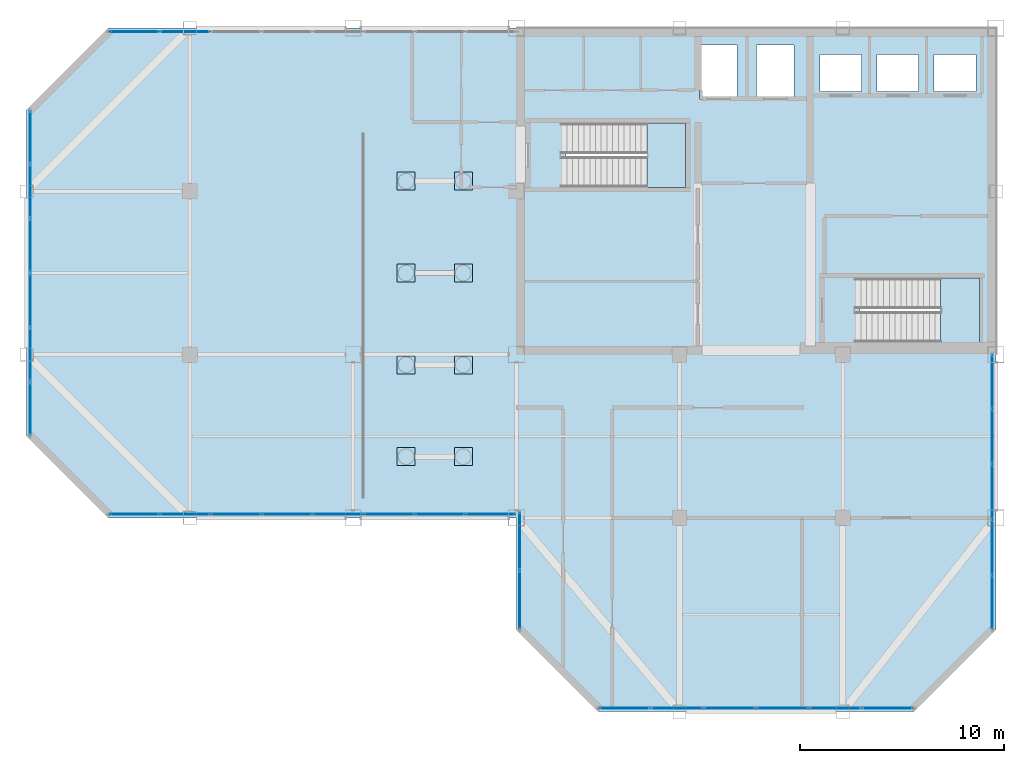
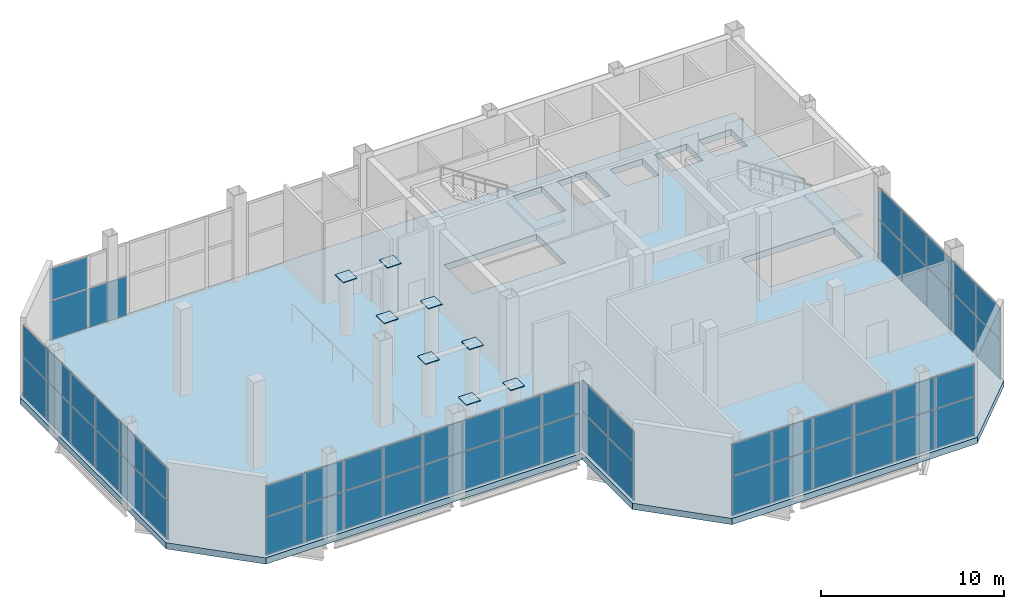
# One storey, part 13 of 18: 65 plates, 3 slabs, 8 elements without a shape of their own.
"""IFC4 building model written with IfcOpenShell, lengths in metres."""

import ifcopenshell
import ifcopenshell.guid

model = None  # the IFC model being written
_history = None  # IfcOwnerHistory: only IFC2X3 demands one
_inside = {}  # id of a spatial element -> (the spatial element, [elements in it])
_under = {}  # id of a project, library or spatial element -> (it, [spatial elements below it])
_declared = {}  # id of a project -> (the project, [libraries it declares])
_typed = {}  # id of a type object -> (the type object, [elements of that type])
_made_of = {}  # id of a material, layer set ... -> (it, [elements and type objects made of it])


def new_model(schema):
    """Start an empty IFC model of exactly this schema.

    Asked for "IFC4X3", IfcOpenShell would pick the latest addendum, in which some entities
    have other attributes; the version numbers below select the first issue.
    IFC2X3 requires an IfcOwnerHistory on every rooted entity: one is made here for all.
    """
    global model, _history
    if schema == "IFC4X3":
        model = ifcopenshell.file(schema_version=(4, 3, 0, 0))
    else:
        model = ifcopenshell.file(schema=schema)
    _inside.clear()
    _under.clear()
    _declared.clear()
    _typed.clear()
    _made_of.clear()
    _history = None
    if model.schema == "IFC2X3":
        org = make("IfcOrganization", Name="unknown")
        user = make(
            "IfcPersonAndOrganization",
            ThePerson=make("IfcPerson", FamilyName="unknown"),
            TheOrganization=org,
        )
        app = make(
            "IfcApplication",
            ApplicationDeveloper=org,
            Version="unknown",
            ApplicationFullName="unknown",
            ApplicationIdentifier="unknown",
        )
        _history = make(
            "IfcOwnerHistory",
            OwningUser=user,
            OwningApplication=app,
            ChangeAction="ADDED",
            CreationDate=0,
        )
    return model


def make(cls, **values):
    """One entity of the class cls with the attributes given. An attribute that is None is left unset."""
    return model.create_entity(
        cls, **{name: value for name, value in values.items() if value is not None}
    )


def rooted(cls, **values):
    """An entity with a GlobalId (a new one), such as an element, a storey or a relation."""
    return make(cls, GlobalId=ifcopenshell.guid.new(), OwnerHistory=_history, **values)


def si_unit(unit_type, name, prefix=None):
    """IfcSIUnit, for example si_unit("LENGTHUNIT", "METRE", prefix="MILLI")."""
    return make("IfcSIUnit", UnitType=unit_type, Prefix=prefix, Name=name)


def assignment(units):
    """IfcUnitAssignment: the units of a project."""
    return None if units is None else make("IfcUnitAssignment", Units=units)


def point(xyz):
    """IfcCartesianPoint."""
    return None if xyz is None else make("IfcCartesianPoint", Coordinates=xyz)


def direction(xyz):
    """IfcDirection."""
    return None if xyz is None else make("IfcDirection", DirectionRatios=xyz)


def frame(location, z_axis=None, x_axis=None):
    """IfcAxis2Placement3D, a coordinate frame: its origin and axes. An axis left out is left unset."""
    return make(
        "IfcAxis2Placement3D",
        Location=point(location),
        Axis=direction(z_axis),
        RefDirection=direction(x_axis),
    )


def frame_2d(location, x_axis=None):
    """IfcAxis2Placement2D, a coordinate frame in the plane: its origin and x axis."""
    return make(
        "IfcAxis2Placement2D", Location=point(location), RefDirection=direction(x_axis)
    )


def origin():
    """The frame at (0, 0, 0) with its axes left unset."""
    return frame((0.0, 0.0, 0.0))


def origin_2d():
    """The frame at (0, 0) in the plane with its x axis left unset."""
    return frame_2d((0.0, 0.0))


def place(relative_to, where):
    """IfcLocalPlacement: puts the frame where relative to a parent placement (None: the world)."""
    return make(
        "IfcLocalPlacement", PlacementRelTo=relative_to, RelativePlacement=where
    )


def context(
    kind, dimensions, precision=None, world=None, true_north=None, identifier=None
):
    """IfcGeometricRepresentationContext, for example the 3D "Model" context."""
    return make(
        "IfcGeometricRepresentationContext",
        ContextIdentifier=identifier,
        ContextType=kind,
        CoordinateSpaceDimension=dimensions,
        Precision=precision,
        WorldCoordinateSystem=world,
        TrueNorth=true_north,
    )


def subcontext(parent, identifier, kind, view, scale=None):
    """IfcGeometricRepresentationSubContext, for example "Body" below "Model"."""
    return make(
        "IfcGeometricRepresentationSubContext",
        ContextIdentifier=identifier,
        ContextType=kind,
        ParentContext=parent,
        TargetScale=scale,
        TargetView=view,
    )


def project(units=None, contexts=None):
    """IfcProject with its units and contexts."""
    return rooted(
        "IfcProject",
        Name="project",
        RepresentationContexts=contexts,
        UnitsInContext=assignment(units),
    )


def spatial(cls, under=None, at=None, **own):
    """A site, building, storey or space (cls), placed at a placement, below another one or the project."""
    s = rooted(cls, ObjectPlacement=at, **own)
    if under is not None:
        _under.setdefault(under.id(), (under, []))[1].append(s)
    return s


def polyline(points):
    """IfcPolyline through the points."""
    return make("IfcPolyline", Points=[point(p) for p in points])


def profile(cls, at=None, kind="AREA", **sizes):
    """A parametric profile (cls). Its sizes go by their IFC names, for example OverallWidth=200.0."""
    return make(cls, ProfileType=kind, Position=at, **sizes)


def rectangle(**sizes):
    """IfcRectangleProfileDef."""
    return profile("IfcRectangleProfileDef", **sizes)


def outline(outer, holes=None, kind="AREA"):
    """IfcArbitraryClosedProfileDef: a profile drawn as a closed curve; with holes, ...WithVoids."""
    if holes is None:
        return make("IfcArbitraryClosedProfileDef", ProfileType=kind, OuterCurve=outer)
    return make(
        "IfcArbitraryProfileDefWithVoids",
        ProfileType=kind,
        OuterCurve=outer,
        InnerCurves=holes,
    )


def extrude(swept, where, along, depth):
    """IfcExtrudedAreaSolid: the profile swept, set in the frame where, extruded along a direction by depth."""
    return make(
        "IfcExtrudedAreaSolid",
        SweptArea=swept,
        Position=where,
        ExtrudedDirection=direction(along),
        Depth=depth,
    )


def shape(context_of_items, identifier, shape_type, items):
    """IfcShapeRepresentation: the items that make up one representation, for example the "Body"."""
    return make(
        "IfcShapeRepresentation",
        ContextOfItems=context_of_items,
        RepresentationIdentifier=identifier,
        RepresentationType=shape_type,
        Items=items,
    )


def material(Name=None, Category=None):
    """IfcMaterial."""
    return make("IfcMaterial", Name=Name, Category=Category)


def layer(
    of_material, thickness, ventilated=None, Name=None, Category=None, Priority=None
):
    """IfcMaterialLayer: one layer of a wall or slab, of a material (None: an air gap)."""
    return make(
        "IfcMaterialLayer",
        Material=of_material,
        LayerThickness=thickness,
        IsVentilated=ventilated,
        Name=Name,
        Category=Category,
        Priority=Priority,
    )


def layer_set(layers, Name=None):
    """IfcMaterialLayerSet."""
    return make("IfcMaterialLayerSet", MaterialLayers=layers, LayerSetName=Name)


def made_of(thing, what):
    """Note that an element or type object is made of a material, layer set ...; save() writes the relation."""
    if what is not None:
        _made_of.setdefault(what.id(), (what, []))[1].append(thing)
    return thing


def type_object(cls, material=None, **own):
    """A type object (cls), such as IfcWallType, which elements share."""
    return made_of(rooted(cls, **own), material)


def element(
    cls,
    number,
    at=None,
    inside=None,
    cuts=None,
    type_object=None,
    material=None,
    context=None,
    identifier="Body",
    shape_type=None,
    held_by="IfcProductDefinitionShape",
    body=None,
    shapes=None,
    **own,
):
    """One element of the class cls, such as IfcWall. Its Tag is "e" and its number.

    at: its placement. inside: the storey or other place that contains it. cuts: it is an
    opening in that element (IfcRelVoidsElement). A single representation is given by context,
    identifier, shape_type and body (its items); several are given by shapes. held_by: the class
    of the entity that holds the representations. save() writes the other relations.
    """
    e = rooted(cls, Tag="e%d" % number, ObjectPlacement=at, **own)
    if body is not None:
        shapes = [shape(context, identifier, shape_type, body)]
    if shapes is not None:
        e.Representation = make(held_by, Representations=shapes)
    if inside is not None:
        _inside.setdefault(inside.id(), (inside, []))[1].append(e)
    if cuts is not None:
        rooted(
            "IfcRelVoidsElement", RelatingBuildingElement=cuts, RelatedOpeningElement=e
        )
    if type_object is not None:
        _typed.setdefault(type_object.id(), (type_object, []))[1].append(e)
    return made_of(e, material)


def aggregate(whole, parts):
    """IfcRelAggregates: a whole, such as a stair, and the parts it consists of."""
    return rooted("IfcRelAggregates", RelatingObject=whole, RelatedObjects=parts)


def save(model, path):
    """Write the relations noted so far, then the file.

    IfcRelAggregates (storeys below a building ...), IfcRelContainedInSpatialStructure (elements
    in a storey), IfcRelDefinesByType, IfcRelAssociatesMaterial and IfcRelDeclares: one each for
    every whole, place, type object, material and project.
    """
    for whole, parts in _under.values():
        aggregate(whole, parts)
    for where, things in _inside.values():
        rooted(
            "IfcRelContainedInSpatialStructure",
            RelatedElements=things,
            RelatingStructure=where,
        )
    for kind, things in _typed.values():
        rooted("IfcRelDefinesByType", RelatedObjects=things, RelatingType=kind)
    for what, things in _made_of.values():
        rooted("IfcRelAssociatesMaterial", RelatedObjects=things, RelatingMaterial=what)
    for by, libraries in _declared.values():
        rooted("IfcRelDeclares", RelatingContext=by, RelatedDefinitions=libraries)
    model.write(path)


model = new_model("IFC4")

# Units and contexts
model_context = context("Model", 3, precision=1e-05, world=origin(), true_north=direction((0.0, 1.0)))
body_context = subcontext(model_context, "Body", "Model", "MODEL_VIEW")
ifc_project = project(units=[si_unit("LENGTHUNIT", "METRE"), si_unit("AREAUNIT", "SQUARE_METRE"), si_unit("VOLUMEUNIT", "CUBIC_METRE"), si_unit("PLANEANGLEUNIT", "RADIAN"), si_unit("MASSUNIT", "GRAM", prefix="KILO")], contexts=[model_context])

# Site, building, storey
site_placement = place(None, origin())
site = spatial("IfcSite", under=ifc_project, at=site_placement, CompositionType="ELEMENT")
building_placement = place(site_placement, origin())
building = spatial("IfcBuilding", under=site, at=building_placement, Name="Qianrong Seaharbour Tower", CompositionType="ELEMENT")
storey_placement = place(building_placement, frame((0.0, 0.0, 367.199951171875)))
storey = spatial("IfcBuildingStorey", under=building, at=storey_placement, Name="L89", CompositionType="ELEMENT", Elevation=367.199951171875)

# Curtain wall, plates
ifc_material_1 = material(Name="Anodised aluminium 6063-T6 and laminated low-e glass", Category="aluminium")
ifc_layer_1 = layer(ifc_material_1, 0.22998046875)
ifc_layer_set_1 = layer_set([ifc_layer_1], Name="Anodised aluminium 6063-T6 and laminated low-e glass")
curtain_wall_type = type_object("IfcCurtainWallType", Name="CW-SYS-5", PredefinedType="NOTDEFINED", material=ifc_layer_set_1)
curtain_wall_1_placement = place(storey_placement, origin())
curtain_wall_1 = element("IfcCurtainWall", 1, at=curtain_wall_1_placement, inside=storey, type_object=curtain_wall_type, Name="L89 Venturi Wind-Turbine Shroud Curtain Wall REENTRANT_WEST", PredefinedType="NOTDEFINED")
ifc_material_2 = material(Name="Anodised aluminium acoustic louvre cassette", Category="aluminium")
ifc_layer_2 = layer(ifc_material_2, 0.044921875)
ifc_layer_set_2 = layer_set([ifc_layer_2], Name="Anodised aluminium acoustic louvre cassette")
plate_type_1 = type_object("IfcPlateType", Name="CW-PAN-LOUVRE-45", PredefinedType="CURTAIN_PANEL", material=ifc_layer_set_2)
plate_1_placement = place(storey_placement, frame((40.669921875, 23.97998046875, 0.06494140625), z_axis=(0.0, 0.0, 1.0), x_axis=(0.0, 1.0, 0.0)))
plate_1 = element("IfcPlate", 2, at=plate_1_placement, type_object=plate_type_1, Name="CW-5 panel 1.1", PredefinedType="CURTAIN_PANEL", context=body_context, shape_type="SweptSolid", body=[
    extrude(rectangle(XDim=2.800048828125, YDim=0.044921875, at=origin_2d()), origin(), (0.0, 0.0, 1.0), 2.514892578125),
])
plate_2_placement = place(storey_placement, frame((40.669921875, 23.97998046875, 2.64501953125), z_axis=(0.0, 0.0, 1.0), x_axis=(0.0, 1.0, 0.0)))
plate_2 = element("IfcPlate", 3, at=plate_2_placement, type_object=plate_type_1, Name="CW-5 panel 1.2", PredefinedType="CURTAIN_PANEL", context=body_context, shape_type="SweptSolid", body=[
    extrude(rectangle(XDim=2.800048828125, YDim=0.044921875, at=origin_2d()), origin(), (0.0, 0.0, 1.0), 2.0400390625),
])
plate_3_placement = place(storey_placement, frame((40.669921875, 26.860107421875, 0.06494140625), z_axis=(0.0, 0.0, 1.0), x_axis=(0.0, 1.0, 0.0)))
plate_3 = element("IfcPlate", 4, at=plate_3_placement, type_object=plate_type_1, Name="CW-5 panel 2.1", PredefinedType="CURTAIN_PANEL", context=body_context, shape_type="SweptSolid", body=[
    extrude(rectangle(XDim=2.800048828125, YDim=0.044921875, at=origin_2d()), origin(), (0.0, 0.0, 1.0), 2.514892578125),
])
plate_4_placement = place(storey_placement, frame((40.669921875, 26.860107421875, 2.64501953125), z_axis=(0.0, 0.0, 1.0), x_axis=(0.0, 1.0, 0.0)))
plate_4 = element("IfcPlate", 5, at=plate_4_placement, type_object=plate_type_1, Name="CW-5 panel 2.2", PredefinedType="CURTAIN_PANEL", context=body_context, shape_type="SweptSolid", body=[
    extrude(rectangle(XDim=2.800048828125, YDim=0.044921875, at=origin_2d()), origin(), (0.0, 0.0, 1.0), 2.0400390625),
])
aggregate(curtain_wall_1, [plate_1, plate_2, plate_3, plate_4])

curtain_wall_2_placement = place(storey_placement, origin())
curtain_wall_2 = element("IfcCurtainWall", 6, at=curtain_wall_2_placement, inside=storey, type_object=curtain_wall_type, Name="L89 Venturi Wind-Turbine Shroud Curtain Wall HARBOUR_RIBBON", PredefinedType="NOTDEFINED")
plate_5_placement = place(storey_placement, frame((39.248779296875, 28.169921875, 0.06494140625), z_axis=(0.0, 0.0, 1.0), x_axis=(-1.0, 0.0, 0.0)))
plate_5 = element("IfcPlate", 7, at=plate_5_placement, type_object=plate_type_1, Name="CW-5 panel 1.1", PredefinedType="CURTAIN_PANEL", context=body_context, shape_type="SweptSolid", body=[
    extrude(rectangle(XDim=2.382568359375, YDim=0.044921875, at=origin_2d()), origin(), (0.0, 0.0, 1.0), 2.514892578125),
])
plate_6_placement = place(storey_placement, frame((39.248779296875, 28.169921875, 2.64501953125), z_axis=(0.0, 0.0, 1.0), x_axis=(-1.0, 0.0, 0.0)))
plate_6 = element("IfcPlate", 8, at=plate_6_placement, type_object=plate_type_1, Name="CW-5 panel 1.2", PredefinedType="CURTAIN_PANEL", context=body_context, shape_type="SweptSolid", body=[
    extrude(rectangle(XDim=2.382568359375, YDim=0.044921875, at=origin_2d()), origin(), (0.0, 0.0, 1.0), 2.0400390625),
])
plate_7_placement = place(storey_placement, frame((36.766357421875, 28.169921875, 0.06494140625), z_axis=(0.0, 0.0, 1.0), x_axis=(-1.0, 0.0, 0.0)))
plate_7 = element("IfcPlate", 9, at=plate_7_placement, type_object=plate_type_1, Name="CW-5 panel 2.1", PredefinedType="CURTAIN_PANEL", context=body_context, shape_type="SweptSolid", body=[
    extrude(rectangle(XDim=2.422607421875, YDim=0.044921875, at=origin_2d()), origin(), (0.0, 0.0, 1.0), 2.514892578125),
])
plate_8_placement = place(storey_placement, frame((36.766357421875, 28.169921875, 2.64501953125), z_axis=(0.0, 0.0, 1.0), x_axis=(-1.0, 0.0, 0.0)))
plate_8 = element("IfcPlate", 10, at=plate_8_placement, type_object=plate_type_1, Name="CW-5 panel 2.2", PredefinedType="CURTAIN_PANEL", context=body_context, shape_type="SweptSolid", body=[
    extrude(rectangle(XDim=2.422607421875, YDim=0.044921875, at=origin_2d()), origin(), (0.0, 0.0, 1.0), 2.0400390625),
])
plate_9_placement = place(storey_placement, frame((34.263671875, 28.169921875, 0.06494140625), z_axis=(0.0, 0.0, 1.0), x_axis=(-1.0, 0.0, 0.0)))
plate_9 = element("IfcPlate", 11, at=plate_9_placement, type_object=plate_type_1, Name="CW-5 panel 3.1", PredefinedType="CURTAIN_PANEL", context=body_context, shape_type="SweptSolid", body=[
    extrude(rectangle(XDim=2.422607421875, YDim=0.044921875, at=origin_2d()), origin(), (0.0, 0.0, 1.0), 2.514892578125),
])
plate_10_placement = place(storey_placement, frame((34.263671875, 28.169921875, 2.64501953125), z_axis=(0.0, 0.0, 1.0), x_axis=(-1.0, 0.0, 0.0)))
plate_10 = element("IfcPlate", 12, at=plate_10_placement, type_object=plate_type_1, Name="CW-5 panel 3.2", PredefinedType="CURTAIN_PANEL", context=body_context, shape_type="SweptSolid", body=[
    extrude(rectangle(XDim=2.422607421875, YDim=0.044921875, at=origin_2d()), origin(), (0.0, 0.0, 1.0), 2.0400390625),
])
plate_11_placement = place(storey_placement, frame((31.76123046875, 28.169921875, 0.06494140625), z_axis=(0.0, 0.0, 1.0), x_axis=(-1.0, 0.0, 0.0)))
plate_11 = element("IfcPlate", 13, at=plate_11_placement, type_object=plate_type_1, Name="CW-5 panel 4.1", PredefinedType="CURTAIN_PANEL", context=body_context, shape_type="SweptSolid", body=[
    extrude(rectangle(XDim=2.422607421875, YDim=0.044921875, at=origin_2d()), origin(), (0.0, 0.0, 1.0), 2.514892578125),
])
plate_12_placement = place(storey_placement, frame((31.76123046875, 28.169921875, 2.64501953125), z_axis=(0.0, 0.0, 1.0), x_axis=(-1.0, 0.0, 0.0)))
plate_12 = element("IfcPlate", 14, at=plate_12_placement, type_object=plate_type_1, Name="CW-5 panel 4.2", PredefinedType="CURTAIN_PANEL", context=body_context, shape_type="SweptSolid", body=[
    extrude(rectangle(XDim=2.422607421875, YDim=0.044921875, at=origin_2d()), origin(), (0.0, 0.0, 1.0), 2.0400390625),
])
plate_13_placement = place(storey_placement, frame((29.2587890625, 28.169921875, 0.06494140625), z_axis=(0.0, 0.0, 1.0), x_axis=(-1.0, 0.0, 0.0)))
plate_13 = element("IfcPlate", 15, at=plate_13_placement, type_object=plate_type_1, Name="CW-5 panel 5.1", PredefinedType="CURTAIN_PANEL", context=body_context, shape_type="SweptSolid", body=[
    extrude(rectangle(XDim=2.422607421875, YDim=0.044921875, at=origin_2d()), origin(), (0.0, 0.0, 1.0), 2.514892578125),
])
plate_14_placement = place(storey_placement, frame((29.2587890625, 28.169921875, 2.64501953125), z_axis=(0.0, 0.0, 1.0), x_axis=(-1.0, 0.0, 0.0)))
plate_14 = element("IfcPlate", 16, at=plate_14_placement, type_object=plate_type_1, Name="CW-5 panel 5.2", PredefinedType="CURTAIN_PANEL", context=body_context, shape_type="SweptSolid", body=[
    extrude(rectangle(XDim=2.422607421875, YDim=0.044921875, at=origin_2d()), origin(), (0.0, 0.0, 1.0), 2.0400390625),
])
plate_15_placement = place(storey_placement, frame((26.75634765625, 28.169921875, 0.06494140625), z_axis=(0.0, 0.0, 1.0), x_axis=(-1.0, 0.0, 0.0)))
plate_15 = element("IfcPlate", 17, at=plate_15_placement, type_object=plate_type_1, Name="CW-5 panel 6.1", PredefinedType="CURTAIN_PANEL", context=body_context, shape_type="SweptSolid", body=[
    extrude(rectangle(XDim=2.422607421875, YDim=0.044921875, at=origin_2d()), origin(), (0.0, 0.0, 1.0), 2.514892578125),
])
plate_16_placement = place(storey_placement, frame((26.75634765625, 28.169921875, 2.64501953125), z_axis=(0.0, 0.0, 1.0), x_axis=(-1.0, 0.0, 0.0)))
plate_16 = element("IfcPlate", 18, at=plate_16_placement, type_object=plate_type_1, Name="CW-5 panel 6.2", PredefinedType="CURTAIN_PANEL", context=body_context, shape_type="SweptSolid", body=[
    extrude(rectangle(XDim=2.422607421875, YDim=0.044921875, at=origin_2d()), origin(), (0.0, 0.0, 1.0), 2.0400390625),
])
plate_17_placement = place(storey_placement, frame((24.253662109375, 28.169921875, 0.06494140625), z_axis=(0.0, 0.0, 1.0), x_axis=(-1.0, 0.0, 0.0)))
plate_17 = element("IfcPlate", 19, at=plate_17_placement, type_object=plate_type_1, Name="CW-5 panel 7.1", PredefinedType="CURTAIN_PANEL", context=body_context, shape_type="SweptSolid", body=[
    extrude(rectangle(XDim=2.422607421875, YDim=0.044921875, at=origin_2d()), origin(), (0.0, 0.0, 1.0), 2.514892578125),
])
plate_18_placement = place(storey_placement, frame((24.253662109375, 28.169921875, 2.64501953125), z_axis=(0.0, 0.0, 1.0), x_axis=(-1.0, 0.0, 0.0)))
plate_18 = element("IfcPlate", 20, at=plate_18_placement, type_object=plate_type_1, Name="CW-5 panel 7.2", PredefinedType="CURTAIN_PANEL", context=body_context, shape_type="SweptSolid", body=[
    extrude(rectangle(XDim=2.422607421875, YDim=0.044921875, at=origin_2d()), origin(), (0.0, 0.0, 1.0), 2.0400390625),
])
plate_19_placement = place(storey_placement, frame((21.771240234375, 28.169921875, 0.06494140625), z_axis=(0.0, 0.0, 1.0), x_axis=(-1.0, 0.0, 0.0)))
plate_19 = element("IfcPlate", 21, at=plate_19_placement, type_object=plate_type_1, Name="CW-5 panel 8.1", PredefinedType="CURTAIN_PANEL", context=body_context, shape_type="SweptSolid", body=[
    extrude(rectangle(XDim=2.382568359375, YDim=0.044921875, at=origin_2d()), origin(), (0.0, 0.0, 1.0), 2.514892578125),
])
plate_20_placement = place(storey_placement, frame((21.771240234375, 28.169921875, 2.64501953125), z_axis=(0.0, 0.0, 1.0), x_axis=(-1.0, 0.0, 0.0)))
plate_20 = element("IfcPlate", 22, at=plate_20_placement, type_object=plate_type_1, Name="CW-5 panel 8.2", PredefinedType="CURTAIN_PANEL", context=body_context, shape_type="SweptSolid", body=[
    extrude(rectangle(XDim=2.382568359375, YDim=0.044921875, at=origin_2d()), origin(), (0.0, 0.0, 1.0), 2.0400390625),
])
aggregate(curtain_wall_2, [plate_5, plate_6, plate_7, plate_8, plate_9, plate_10, plate_11, plate_12, plate_13, plate_14, plate_15, plate_16, plate_17, plate_18, plate_19, plate_20])

curtain_wall_3_placement = place(storey_placement, origin())
curtain_wall_3 = element("IfcCurtainWall", 23, at=curtain_wall_3_placement, inside=storey, type_object=curtain_wall_type, Name="L89 Venturi Wind-Turbine Shroud Curtain Wall WEST_TIP", PredefinedType="NOTDEFINED")
plate_21_placement = place(storey_placement, frame((16.669921875, 33.353271484375, 0.06494140625), z_axis=(0.0, 0.0, 1.0), x_axis=(0.0, 1.0, 0.0)))
plate_21 = element("IfcPlate", 24, at=plate_21_placement, type_object=plate_type_1, Name="CW-5 panel 1.1", PredefinedType="CURTAIN_PANEL", context=body_context, shape_type="SweptSolid", body=[
    extrude(rectangle(XDim=2.546630859375, YDim=0.044921875, at=origin_2d()), origin(), (0.0, 0.0, 1.0), 2.597412109375),
])
plate_22_placement = place(storey_placement, frame((16.669921875, 33.353271484375, 2.7275390625), z_axis=(0.0, 0.0, 1.0), x_axis=(0.0, 1.0, 0.0)))
plate_22 = element("IfcPlate", 25, at=plate_22_placement, type_object=plate_type_1, Name="CW-5 panel 1.2", PredefinedType="CURTAIN_PANEL", context=body_context, shape_type="SweptSolid", body=[
    extrude(rectangle(XDim=2.546630859375, YDim=0.044921875, at=origin_2d()), origin(), (0.0, 0.0, 1.0), 2.107421875),
])
plate_23_placement = place(storey_placement, frame((16.669921875, 36.0, 0.06494140625), z_axis=(0.0, 0.0, 1.0), x_axis=(0.0, 1.0, 0.0)))
plate_23 = element("IfcPlate", 26, at=plate_23_placement, type_object=plate_type_1, Name="CW-5 panel 2.1", PredefinedType="CURTAIN_PANEL", context=body_context, shape_type="SweptSolid", body=[
    extrude(rectangle(XDim=2.586669921875, YDim=0.044921875, at=origin_2d()), origin(), (0.0, 0.0, 1.0), 2.597412109375),
])
plate_24_placement = place(storey_placement, frame((16.669921875, 36.0, 2.7275390625), z_axis=(0.0, 0.0, 1.0), x_axis=(0.0, 1.0, 0.0)))
plate_24 = element("IfcPlate", 27, at=plate_24_placement, type_object=plate_type_1, Name="CW-5 panel 2.2", PredefinedType="CURTAIN_PANEL", context=body_context, shape_type="SweptSolid", body=[
    extrude(rectangle(XDim=2.586669921875, YDim=0.044921875, at=origin_2d()), origin(), (0.0, 0.0, 1.0), 2.107421875),
])
plate_25_placement = place(storey_placement, frame((16.669921875, 38.666748046875, 0.06494140625), z_axis=(0.0, 0.0, 1.0), x_axis=(0.0, 1.0, 0.0)))
plate_25 = element("IfcPlate", 28, at=plate_25_placement, type_object=plate_type_1, Name="CW-5 panel 3.1", PredefinedType="CURTAIN_PANEL", context=body_context, shape_type="SweptSolid", body=[
    extrude(rectangle(XDim=2.586669921875, YDim=0.044921875, at=origin_2d()), origin(), (0.0, 0.0, 1.0), 2.597412109375),
])
plate_26_placement = place(storey_placement, frame((16.669921875, 38.666748046875, 2.7275390625), z_axis=(0.0, 0.0, 1.0), x_axis=(0.0, 1.0, 0.0)))
plate_26 = element("IfcPlate", 29, at=plate_26_placement, type_object=plate_type_1, Name="CW-5 panel 3.2", PredefinedType="CURTAIN_PANEL", context=body_context, shape_type="SweptSolid", body=[
    extrude(rectangle(XDim=2.586669921875, YDim=0.044921875, at=origin_2d()), origin(), (0.0, 0.0, 1.0), 2.107421875),
])
plate_27_placement = place(storey_placement, frame((16.669921875, 41.333251953125, 0.06494140625), z_axis=(0.0, 0.0, 1.0), x_axis=(0.0, 1.0, 0.0)))
plate_27 = element("IfcPlate", 30, at=plate_27_placement, type_object=plate_type_1, Name="CW-5 panel 4.1", PredefinedType="CURTAIN_PANEL", context=body_context, shape_type="SweptSolid", body=[
    extrude(rectangle(XDim=2.586669921875, YDim=0.044921875, at=origin_2d()), origin(), (0.0, 0.0, 1.0), 2.597412109375),
])
plate_28_placement = place(storey_placement, frame((16.669921875, 41.333251953125, 2.7275390625), z_axis=(0.0, 0.0, 1.0), x_axis=(0.0, 1.0, 0.0)))
plate_28 = element("IfcPlate", 31, at=plate_28_placement, type_object=plate_type_1, Name="CW-5 panel 4.2", PredefinedType="CURTAIN_PANEL", context=body_context, shape_type="SweptSolid", body=[
    extrude(rectangle(XDim=2.586669921875, YDim=0.044921875, at=origin_2d()), origin(), (0.0, 0.0, 1.0), 2.107421875),
])
plate_29_placement = place(storey_placement, frame((16.669921875, 44.0, 0.06494140625), z_axis=(0.0, 0.0, 1.0), x_axis=(0.0, 1.0, 0.0)))
plate_29 = element("IfcPlate", 32, at=plate_29_placement, type_object=plate_type_1, Name="CW-5 panel 5.1", PredefinedType="CURTAIN_PANEL", context=body_context, shape_type="SweptSolid", body=[
    extrude(rectangle(XDim=2.586669921875, YDim=0.044921875, at=origin_2d()), origin(), (0.0, 0.0, 1.0), 2.597412109375),
])
plate_30_placement = place(storey_placement, frame((16.669921875, 44.0, 2.7275390625), z_axis=(0.0, 0.0, 1.0), x_axis=(0.0, 1.0, 0.0)))
plate_30 = element("IfcPlate", 33, at=plate_30_placement, type_object=plate_type_1, Name="CW-5 panel 5.2", PredefinedType="CURTAIN_PANEL", context=body_context, shape_type="SweptSolid", body=[
    extrude(rectangle(XDim=2.586669921875, YDim=0.044921875, at=origin_2d()), origin(), (0.0, 0.0, 1.0), 2.107421875),
])
plate_31_placement = place(storey_placement, frame((16.669921875, 46.646728515625, 0.06494140625), z_axis=(0.0, 0.0, 1.0), x_axis=(0.0, 1.0, 0.0)))
plate_31 = element("IfcPlate", 34, at=plate_31_placement, type_object=plate_type_1, Name="CW-5 panel 6.1", PredefinedType="CURTAIN_PANEL", context=body_context, shape_type="SweptSolid", body=[
    extrude(rectangle(XDim=2.546630859375, YDim=0.044921875, at=origin_2d()), origin(), (0.0, 0.0, 1.0), 2.597412109375),
])
plate_32_placement = place(storey_placement, frame((16.669921875, 46.646728515625, 2.7275390625), z_axis=(0.0, 0.0, 1.0), x_axis=(0.0, 1.0, 0.0)))
plate_32 = element("IfcPlate", 35, at=plate_32_placement, type_object=plate_type_1, Name="CW-5 panel 6.2", PredefinedType="CURTAIN_PANEL", context=body_context, shape_type="SweptSolid", body=[
    extrude(rectangle(XDim=2.546630859375, YDim=0.044921875, at=origin_2d()), origin(), (0.0, 0.0, 1.0), 2.107421875),
])
aggregate(curtain_wall_3, [plate_21, plate_22, plate_23, plate_24, plate_25, plate_26, plate_27, plate_28, plate_29, plate_30, plate_31, plate_32])

curtain_wall_4_placement = place(storey_placement, origin())
curtain_wall_4 = element("IfcCurtainWall", 36, at=curtain_wall_4_placement, inside=storey, type_object=curtain_wall_type, Name="L89 Venturi Wind-Turbine Shroud Curtain Wall NORTH_WING", PredefinedType="NOTDEFINED")
plate_33_placement = place(storey_placement, frame((21.771240234375, 51.830078125, 0.06494140625), z_axis=(0.0, 0.0, 1.0), x_axis=(1.0, 0.0, 0.0)))
plate_33 = element("IfcPlate", 37, at=plate_33_placement, type_object=plate_type_1, Name="CW-5 panel 1.1", PredefinedType="CURTAIN_PANEL", context=body_context, shape_type="SweptSolid", body=[
    extrude(rectangle(XDim=2.382568359375, YDim=0.044921875, at=origin_2d()), origin(), (0.0, 0.0, 1.0), 2.597412109375),
])
plate_34_placement = place(storey_placement, frame((21.771240234375, 51.830078125, 2.7275390625), z_axis=(0.0, 0.0, 1.0), x_axis=(1.0, 0.0, 0.0)))
plate_34 = element("IfcPlate", 38, at=plate_34_placement, type_object=plate_type_1, Name="CW-5 panel 1.2", PredefinedType="CURTAIN_PANEL", context=body_context, shape_type="SweptSolid", body=[
    extrude(rectangle(XDim=2.382568359375, YDim=0.044921875, at=origin_2d()), origin(), (0.0, 0.0, 1.0), 2.107421875),
])
plate_35_placement = place(storey_placement, frame((24.253662109375, 51.830078125, 0.06494140625), z_axis=(0.0, 0.0, 1.0), x_axis=(1.0, 0.0, 0.0)))
plate_35 = element("IfcPlate", 39, at=plate_35_placement, type_object=plate_type_1, Name="CW-5 panel 2.1", PredefinedType="CURTAIN_PANEL", context=body_context, shape_type="SweptSolid", body=[
    extrude(rectangle(XDim=2.422607421875, YDim=0.044921875, at=origin_2d()), origin(), (0.0, 0.0, 1.0), 2.597412109375),
])
aggregate(curtain_wall_4, [plate_33, plate_34, plate_35])

curtain_wall_5_placement = place(storey_placement, origin())
curtain_wall_5 = element("IfcCurtainWall", 40, at=curtain_wall_5_placement, inside=storey, type_object=curtain_wall_type, Name="L89 Venturi Wind-Turbine Shroud Curtain Wall EAST_WING", PredefinedType="NOTDEFINED")
plate_36_placement = place(storey_placement, frame((63.830078125, 34.675048828125, 0.06494140625), z_axis=(0.0, 0.0, 1.0), x_axis=(0.0, -1.0, 0.0)))
plate_36 = element("IfcPlate", 41, at=plate_36_placement, type_object=plate_type_1, Name="CW-5 panel 1.1", PredefinedType="CURTAIN_PANEL", context=body_context, shape_type="SweptSolid", body=[
    extrude(rectangle(XDim=2.590087890625, YDim=0.044921875, at=origin_2d()), origin(), (0.0, 0.0, 1.0), 2.597412109375),
])
plate_37_placement = place(storey_placement, frame((63.830078125, 34.675048828125, 2.7275390625), z_axis=(0.0, 0.0, 1.0), x_axis=(0.0, -1.0, 0.0)))
plate_37 = element("IfcPlate", 42, at=plate_37_placement, type_object=plate_type_1, Name="CW-5 panel 1.2", PredefinedType="CURTAIN_PANEL", context=body_context, shape_type="SweptSolid", body=[
    extrude(rectangle(XDim=2.590087890625, YDim=0.044921875, at=origin_2d()), origin(), (0.0, 0.0, 1.0), 2.107421875),
])
plate_38_placement = place(storey_placement, frame((63.830078125, 31.985107421875, 0.06494140625), z_axis=(0.0, 0.0, 1.0), x_axis=(0.0, -1.0, 0.0)))
plate_38 = element("IfcPlate", 43, at=plate_38_placement, type_object=plate_type_1, Name="CW-5 panel 2.1", PredefinedType="CURTAIN_PANEL", context=body_context, shape_type="SweptSolid", body=[
    extrude(rectangle(XDim=2.6298828125, YDim=0.044921875, at=origin_2d()), origin(), (0.0, 0.0, 1.0), 2.597412109375),
])
plate_39_placement = place(storey_placement, frame((63.830078125, 31.985107421875, 2.7275390625), z_axis=(0.0, 0.0, 1.0), x_axis=(0.0, -1.0, 0.0)))
plate_39 = element("IfcPlate", 44, at=plate_39_placement, type_object=plate_type_1, Name="CW-5 panel 2.2", PredefinedType="CURTAIN_PANEL", context=body_context, shape_type="SweptSolid", body=[
    extrude(rectangle(XDim=2.6298828125, YDim=0.044921875, at=origin_2d()), origin(), (0.0, 0.0, 1.0), 2.107421875),
])
plate_40_placement = place(storey_placement, frame((63.830078125, 29.27490234375, 0.06494140625), z_axis=(0.0, 0.0, 1.0), x_axis=(0.0, -1.0, 0.0)))
plate_40 = element("IfcPlate", 45, at=plate_40_placement, type_object=plate_type_1, Name="CW-5 panel 3.1", PredefinedType="CURTAIN_PANEL", context=body_context, shape_type="SweptSolid", body=[
    extrude(rectangle(XDim=2.6298828125, YDim=0.044921875, at=origin_2d()), origin(), (0.0, 0.0, 1.0), 2.597412109375),
])
plate_41_placement = place(storey_placement, frame((63.830078125, 29.27490234375, 2.7275390625), z_axis=(0.0, 0.0, 1.0), x_axis=(0.0, -1.0, 0.0)))
plate_41 = element("IfcPlate", 46, at=plate_41_placement, type_object=plate_type_1, Name="CW-5 panel 3.2", PredefinedType="CURTAIN_PANEL", context=body_context, shape_type="SweptSolid", body=[
    extrude(rectangle(XDim=2.6298828125, YDim=0.044921875, at=origin_2d()), origin(), (0.0, 0.0, 1.0), 2.107421875),
])
plate_42_placement = place(storey_placement, frame((63.830078125, 26.56494140625, 0.06494140625), z_axis=(0.0, 0.0, 1.0), x_axis=(0.0, -1.0, 0.0)))
plate_42 = element("IfcPlate", 47, at=plate_42_placement, type_object=plate_type_1, Name="CW-5 panel 4.1", PredefinedType="CURTAIN_PANEL", context=body_context, shape_type="SweptSolid", body=[
    extrude(rectangle(XDim=2.6298828125, YDim=0.044921875, at=origin_2d()), origin(), (0.0, 0.0, 1.0), 2.597412109375),
])
plate_43_placement = place(storey_placement, frame((63.830078125, 26.56494140625, 2.7275390625), z_axis=(0.0, 0.0, 1.0), x_axis=(0.0, -1.0, 0.0)))
plate_43 = element("IfcPlate", 48, at=plate_43_placement, type_object=plate_type_1, Name="CW-5 panel 4.2", PredefinedType="CURTAIN_PANEL", context=body_context, shape_type="SweptSolid", body=[
    extrude(rectangle(XDim=2.6298828125, YDim=0.044921875, at=origin_2d()), origin(), (0.0, 0.0, 1.0), 2.107421875),
])
plate_44_placement = place(storey_placement, frame((63.830078125, 23.875, 0.06494140625), z_axis=(0.0, 0.0, 1.0), x_axis=(0.0, -1.0, 0.0)))
plate_44 = element("IfcPlate", 49, at=plate_44_placement, type_object=plate_type_1, Name="CW-5 panel 5.1", PredefinedType="CURTAIN_PANEL", context=body_context, shape_type="SweptSolid", body=[
    extrude(rectangle(XDim=2.590087890625, YDim=0.044921875, at=origin_2d()), origin(), (0.0, 0.0, 1.0), 2.597412109375),
])
plate_45_placement = place(storey_placement, frame((63.830078125, 23.875, 2.7275390625), z_axis=(0.0, 0.0, 1.0), x_axis=(0.0, -1.0, 0.0)))
plate_45 = element("IfcPlate", 50, at=plate_45_placement, type_object=plate_type_1, Name="CW-5 panel 5.2", PredefinedType="CURTAIN_PANEL", context=body_context, shape_type="SweptSolid", body=[
    extrude(rectangle(XDim=2.590087890625, YDim=0.044921875, at=origin_2d()), origin(), (0.0, 0.0, 1.0), 2.107421875),
])
aggregate(curtain_wall_5, [plate_36, plate_37, plate_38, plate_39, plate_40, plate_41, plate_42, plate_43, plate_44, plate_45])

curtain_wall_6_placement = place(storey_placement, origin())
curtain_wall_6 = element("IfcCurtainWall", 51, at=curtain_wall_6_placement, inside=storey, type_object=curtain_wall_type, Name="L89 Venturi Wind-Turbine Shroud Curtain Wall SOUTH_TIP", PredefinedType="NOTDEFINED")
plate_46_placement = place(storey_placement, frame((58.688232421875, 18.669921875, 0.06494140625), z_axis=(0.0, 0.0, 1.0), x_axis=(-1.0, 0.0, 0.0)))
plate_46 = element("IfcPlate", 52, at=plate_46_placement, type_object=plate_type_1, Name="CW-5 panel 1.1", PredefinedType="CURTAIN_PANEL", context=body_context, shape_type="SweptSolid", body=[
    extrude(rectangle(XDim=2.46337890625, YDim=0.044921875, at=origin_2d()), origin(), (0.0, 0.0, 1.0), 2.597412109375),
])
plate_47_placement = place(storey_placement, frame((58.688232421875, 18.669921875, 2.7275390625), z_axis=(0.0, 0.0, 1.0), x_axis=(-1.0, 0.0, 0.0)))
plate_47 = element("IfcPlate", 53, at=plate_47_placement, type_object=plate_type_1, Name="CW-5 panel 1.2", PredefinedType="CURTAIN_PANEL", context=body_context, shape_type="SweptSolid", body=[
    extrude(rectangle(XDim=2.46337890625, YDim=0.044921875, at=origin_2d()), origin(), (0.0, 0.0, 1.0), 2.107421875),
])
plate_48_placement = place(storey_placement, frame((56.125, 18.669921875, 0.06494140625), z_axis=(0.0, 0.0, 1.0), x_axis=(-1.0, 0.0, 0.0)))
plate_48 = element("IfcPlate", 54, at=plate_48_placement, type_object=plate_type_1, Name="CW-5 panel 2.1", PredefinedType="CURTAIN_PANEL", context=body_context, shape_type="SweptSolid", body=[
    extrude(rectangle(XDim=2.50341796875, YDim=0.044921875, at=origin_2d()), origin(), (0.0, 0.0, 1.0), 2.597412109375),
])
plate_49_placement = place(storey_placement, frame((56.125, 18.669921875, 2.7275390625), z_axis=(0.0, 0.0, 1.0), x_axis=(-1.0, 0.0, 0.0)))
plate_49 = element("IfcPlate", 55, at=plate_49_placement, type_object=plate_type_1, Name="CW-5 panel 2.2", PredefinedType="CURTAIN_PANEL", context=body_context, shape_type="SweptSolid", body=[
    extrude(rectangle(XDim=2.50341796875, YDim=0.044921875, at=origin_2d()), origin(), (0.0, 0.0, 1.0), 2.107421875),
])
plate_50_placement = place(storey_placement, frame((53.541748046875, 18.669921875, 0.06494140625), z_axis=(0.0, 0.0, 1.0), x_axis=(-1.0, 0.0, 0.0)))
plate_50 = element("IfcPlate", 56, at=plate_50_placement, type_object=plate_type_1, Name="CW-5 panel 3.1", PredefinedType="CURTAIN_PANEL", context=body_context, shape_type="SweptSolid", body=[
    extrude(rectangle(XDim=2.50341796875, YDim=0.044921875, at=origin_2d()), origin(), (0.0, 0.0, 1.0), 2.597412109375),
])
plate_51_placement = place(storey_placement, frame((53.541748046875, 18.669921875, 2.7275390625), z_axis=(0.0, 0.0, 1.0), x_axis=(-1.0, 0.0, 0.0)))
plate_51 = element("IfcPlate", 57, at=plate_51_placement, type_object=plate_type_1, Name="CW-5 panel 3.2", PredefinedType="CURTAIN_PANEL", context=body_context, shape_type="SweptSolid", body=[
    extrude(rectangle(XDim=2.50341796875, YDim=0.044921875, at=origin_2d()), origin(), (0.0, 0.0, 1.0), 2.107421875),
])
plate_52_placement = place(storey_placement, frame((50.958251953125, 18.669921875, 0.06494140625), z_axis=(0.0, 0.0, 1.0), x_axis=(-1.0, 0.0, 0.0)))
plate_52 = element("IfcPlate", 58, at=plate_52_placement, type_object=plate_type_1, Name="CW-5 panel 4.1", PredefinedType="CURTAIN_PANEL", context=body_context, shape_type="SweptSolid", body=[
    extrude(rectangle(XDim=2.50341796875, YDim=0.044921875, at=origin_2d()), origin(), (0.0, 0.0, 1.0), 2.597412109375),
])
plate_53_placement = place(storey_placement, frame((50.958251953125, 18.669921875, 2.7275390625), z_axis=(0.0, 0.0, 1.0), x_axis=(-1.0, 0.0, 0.0)))
plate_53 = element("IfcPlate", 59, at=plate_53_placement, type_object=plate_type_1, Name="CW-5 panel 4.2", PredefinedType="CURTAIN_PANEL", context=body_context, shape_type="SweptSolid", body=[
    extrude(rectangle(XDim=2.50341796875, YDim=0.044921875, at=origin_2d()), origin(), (0.0, 0.0, 1.0), 2.107421875),
])
plate_54_placement = place(storey_placement, frame((48.375, 18.669921875, 0.06494140625), z_axis=(0.0, 0.0, 1.0), x_axis=(-1.0, 0.0, 0.0)))
plate_54 = element("IfcPlate", 60, at=plate_54_placement, type_object=plate_type_1, Name="CW-5 panel 5.1", PredefinedType="CURTAIN_PANEL", context=body_context, shape_type="SweptSolid", body=[
    extrude(rectangle(XDim=2.50341796875, YDim=0.044921875, at=origin_2d()), origin(), (0.0, 0.0, 1.0), 2.597412109375),
])
plate_55_placement = place(storey_placement, frame((48.375, 18.669921875, 2.7275390625), z_axis=(0.0, 0.0, 1.0), x_axis=(-1.0, 0.0, 0.0)))
plate_55 = element("IfcPlate", 61, at=plate_55_placement, type_object=plate_type_1, Name="CW-5 panel 5.2", PredefinedType="CURTAIN_PANEL", context=body_context, shape_type="SweptSolid", body=[
    extrude(rectangle(XDim=2.50341796875, YDim=0.044921875, at=origin_2d()), origin(), (0.0, 0.0, 1.0), 2.107421875),
])
plate_56_placement = place(storey_placement, frame((45.811767578125, 18.669921875, 0.06494140625), z_axis=(0.0, 0.0, 1.0), x_axis=(-1.0, 0.0, 0.0)))
plate_56 = element("IfcPlate", 62, at=plate_56_placement, type_object=plate_type_1, Name="CW-5 panel 6.1", PredefinedType="CURTAIN_PANEL", context=body_context, shape_type="SweptSolid", body=[
    extrude(rectangle(XDim=2.46337890625, YDim=0.044921875, at=origin_2d()), origin(), (0.0, 0.0, 1.0), 2.597412109375),
])
plate_57_placement = place(storey_placement, frame((45.811767578125, 18.669921875, 2.7275390625), z_axis=(0.0, 0.0, 1.0), x_axis=(-1.0, 0.0, 0.0)))
plate_57 = element("IfcPlate", 63, at=plate_57_placement, type_object=plate_type_1, Name="CW-5 panel 6.2", PredefinedType="CURTAIN_PANEL", context=body_context, shape_type="SweptSolid", body=[
    extrude(rectangle(XDim=2.46337890625, YDim=0.044921875, at=origin_2d()), origin(), (0.0, 0.0, 1.0), 2.107421875),
])
aggregate(curtain_wall_6, [plate_46, plate_47, plate_48, plate_49, plate_50, plate_51, plate_52, plate_53, plate_54, plate_55, plate_56, plate_57])

# Plates
ifc_material_3 = material(Name="Structural steel SN490B", Category="steel")
ifc_layer_3 = layer(ifc_material_3, 0.044921875)
ifc_layer_set_3 = layer_set([ifc_layer_3], Name="Structural steel SN490B")
plate_type_2 = type_object("IfcPlateType", Name="PLT-COL-CAP-45", PredefinedType="SHEET", material=ifc_layer_set_3)
for number, where, z_axis, x_axis, name in (
    (64, (35.10009765625, 31.0, 3.677490234375), (0.0, 0.0, 1.0), (1.0, 0.0, 0.0), "L89 Venturi Wind Turbine Pedestal Cap Plate WT-1W"),
    (65, (37.89990234375, 31.0, 3.677490234375), (0.0, 0.0, 1.0), (1.0, 0.0, 0.0), "L89 Venturi Wind Turbine Pedestal Cap Plate WT-1E"),
    (66, (35.10009765625, 35.5, 3.677490234375), (0.0, 0.0, 1.0), (1.0, 0.0, 0.0), "L89 Venturi Wind Turbine Pedestal Cap Plate WT-2W"),
    (67, (37.89990234375, 35.5, 3.677490234375), (0.0, 0.0, 1.0), (1.0, 0.0, 0.0), "L89 Venturi Wind Turbine Pedestal Cap Plate WT-2E"),
    (68, (35.10009765625, 40.0, 3.677490234375), (0.0, 0.0, 1.0), (1.0, 0.0, 0.0), "L89 Venturi Wind Turbine Pedestal Cap Plate WT-3W"),
    (69, (37.89990234375, 40.0, 3.677490234375), (0.0, 0.0, 1.0), (1.0, 0.0, 0.0), "L89 Venturi Wind Turbine Pedestal Cap Plate WT-3E"),
    (70, (35.10009765625, 44.5, 3.677490234375), (0.0, 0.0, 1.0), (1.0, 0.0, 0.0), "L89 Venturi Wind Turbine Pedestal Cap Plate WT-4W"),
    (71, (37.89990234375, 44.5, 3.677490234375), (0.0, 0.0, 1.0), (1.0, 0.0, 0.0), "L89 Venturi Wind Turbine Pedestal Cap Plate WT-4E"),
):
    element("IfcPlate", number, at=place(storey_placement, frame(where, z_axis=z_axis, x_axis=x_axis)), inside=storey, type_object=plate_type_2, Name=name, PredefinedType="SHEET", context=body_context, shape_type="SweptSolid", body=[
        extrude(rectangle(XDim=0.8798828125, YDim=0.8798828125, at=origin_2d()), origin(), (0.0, 0.0, 1.0), 0.044921875),
    ])

# Stair, slab
ifc_material_4 = material(Name="Concrete C50/60", Category="concrete")
stair_type = type_object("IfcStairType", Name="STAIR-DOGLEG-1500-R32", PredefinedType="HALF_TURN_STAIR", material=ifc_material_4)
stair_1_placement = place(storey_placement, origin())
stair_1 = element("IfcStair", 72, at=stair_1_placement, inside=storey, type_object=stair_type, Name="L89 Protected Escape Stair ST-1", PredefinedType="HALF_TURN_STAIR")
ifc_layer_4 = layer(ifc_material_4, 0.199951171875)
ifc_layer_set_4 = layer_set([ifc_layer_4], Name="Concrete C50/60")
slab_type_1 = type_object("IfcSlabType", Name="SLAB-STAIR-LANDING-200", PredefinedType="LANDING", material=ifc_layer_set_4)
slab_1_placement = place(storey_placement, frame((0.0, 0.0, 2.699951171875)))
slab_1 = element("IfcSlab", 73, at=slab_1_placement, type_object=slab_type_1, Name="ST-1 landing 1", PredefinedType="LANDING", context=body_context, shape_type="SweptSolid", body=[
    extrude(outline(polyline([(46.89990234375, 44.199951171875), (48.800048828125, 44.199951171875), (48.800048828125, 47.35009765625), (46.89990234375, 47.35009765625), (46.89990234375, 44.199951171875)])), origin(), (0.0, 0.0, 1.0), 0.2001953125),
])
aggregate(stair_1, [slab_1])

stair_2_placement = place(storey_placement, origin())
stair_2 = element("IfcStair", 74, at=stair_2_placement, inside=storey, type_object=stair_type, Name="L89 Protected Escape Stair ST-2", PredefinedType="HALF_TURN_STAIR")
slab_2_placement = place(storey_placement, frame((0.0, 0.0, 2.699951171875)))
slab_2 = element("IfcSlab", 75, at=slab_2_placement, type_object=slab_type_1, Name="ST-2 landing 1", PredefinedType="LANDING", context=body_context, shape_type="SweptSolid", body=[
    extrude(outline(polyline([(61.300048828125, 36.60009765625), (63.199951171875, 36.60009765625), (63.199951171875, 39.75), (61.300048828125, 39.75), (61.300048828125, 36.60009765625)])), origin(), (0.0, 0.0, 1.0), 0.2001953125),
])
aggregate(stair_2, [slab_2])

# Slab
ifc_material_5 = material(Name="Concrete C60/75", Category="concrete")
ifc_layer_5 = layer(ifc_material_5, 0.419921875)
ifc_layer_set_5 = layer_set([ifc_layer_5], Name="Concrete C60/75")
slab_type_2 = type_object("IfcSlabType", Name="SLAB-TURB-420", PredefinedType="FLOOR", material=ifc_layer_set_5)
slab_3_placement = place(storey_placement, frame((0.0, 0.0, -0.419921875)))
element("IfcSlab", 76, at=slab_3_placement, inside=storey, type_object=slab_type_2, Name="L89 Structural Floor Slab", PredefinedType="FLOOR", context=body_context, shape_type="SweptSolid", body=[
    extrude(outline(polyline([(44.5, 18.5), (60.0, 18.5), (64.0, 22.5), (64.0, 52.0), (20.5, 52.0), (16.5, 48.0), (16.5, 32.0), (20.5, 28.0), (40.5, 28.0), (40.5, 22.5), (44.5, 18.5)]), holes=[polyline([(42.93994140625, 44.199951171875), (42.93994140625, 47.35009765625), (48.800048828125, 47.35009765625), (48.800048828125, 44.199951171875), (42.93994140625, 44.199951171875)]), polyline([(57.340087890625, 36.60009765625), (57.340087890625, 39.75), (63.199951171875, 39.75), (63.199951171875, 36.60009765625), (57.340087890625, 36.60009765625)]), polyline([(49.47998046875, 48.530029296875), (49.47998046875, 51.169921875), (51.320068359375, 51.169921875), (51.320068359375, 48.530029296875), (49.47998046875, 48.530029296875)]), polyline([(52.280029296875, 48.530029296875), (52.280029296875, 51.169921875), (54.1201171875, 51.169921875), (54.1201171875, 48.530029296875), (52.280029296875, 48.530029296875)]), polyline([(55.3798828125, 48.89990234375), (55.3798828125, 50.699951171875), (57.419921875, 50.699951171875), (57.419921875, 48.89990234375), (55.3798828125, 48.89990234375)]), polyline([(58.179931640625, 48.89990234375), (58.179931640625, 50.699951171875), (60.219970703125, 50.699951171875), (60.219970703125, 48.89990234375), (58.179931640625, 48.89990234375)]), polyline([(60.97998046875, 48.89990234375), (60.97998046875, 50.699951171875), (63.02001953125, 50.699951171875), (63.02001953125, 48.89990234375), (60.97998046875, 48.89990234375)])]), origin(), (0.0, 0.0, 1.0), 0.419921875),
])

save(model, "model.ifc")
